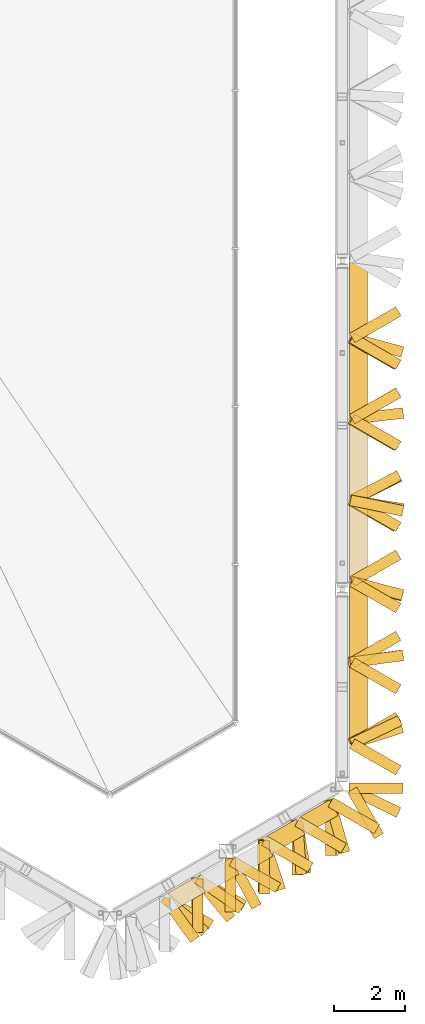
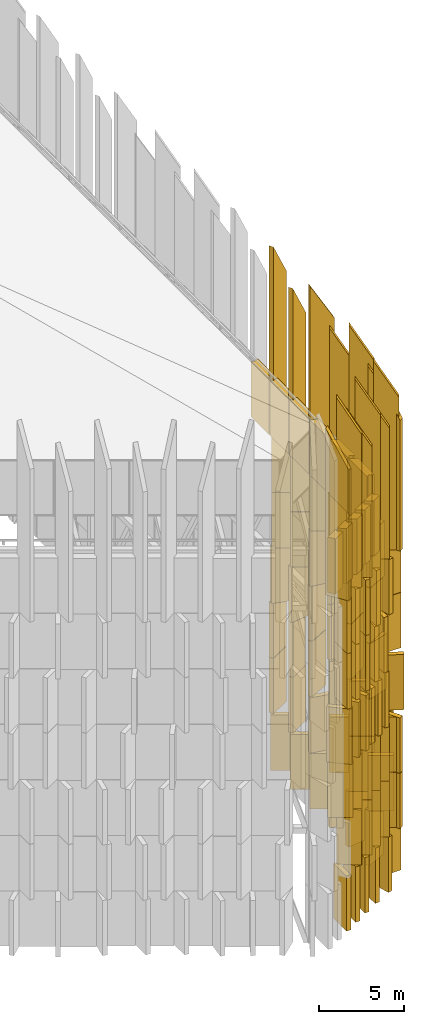
# One storey, part 40 of 45: 98 shading devices.
"""IFC4 building model written with IfcOpenShell, lengths in metres."""

import ifcopenshell
import ifcopenshell.guid

model = None  # the IFC model being written
_history = None  # IfcOwnerHistory: only IFC2X3 demands one
_inside = {}  # id of a spatial element -> (the spatial element, [elements in it])
_under = {}  # id of a project, library or spatial element -> (it, [spatial elements below it])
_declared = {}  # id of a project -> (the project, [libraries it declares])
_typed = {}  # id of a type object -> (the type object, [elements of that type])
_made_of = {}  # id of a material, layer set ... -> (it, [elements and type objects made of it])


def new_model(schema):
    """Start an empty IFC model of exactly this schema.

    Asked for "IFC4X3", IfcOpenShell would pick the latest addendum, in which some entities
    have other attributes; the version numbers below select the first issue.
    IFC2X3 requires an IfcOwnerHistory on every rooted entity: one is made here for all.
    """
    global model, _history
    if schema == "IFC4X3":
        model = ifcopenshell.file(schema_version=(4, 3, 0, 0))
    else:
        model = ifcopenshell.file(schema=schema)
    _inside.clear()
    _under.clear()
    _declared.clear()
    _typed.clear()
    _made_of.clear()
    _history = None
    if model.schema == "IFC2X3":
        org = make("IfcOrganization", Name="unknown")
        user = make(
            "IfcPersonAndOrganization",
            ThePerson=make("IfcPerson", FamilyName="unknown"),
            TheOrganization=org,
        )
        app = make(
            "IfcApplication",
            ApplicationDeveloper=org,
            Version="unknown",
            ApplicationFullName="unknown",
            ApplicationIdentifier="unknown",
        )
        _history = make(
            "IfcOwnerHistory",
            OwningUser=user,
            OwningApplication=app,
            ChangeAction="ADDED",
            CreationDate=0,
        )
    return model


def make(cls, **values):
    """One entity of the class cls with the attributes given. An attribute that is None is left unset."""
    return model.create_entity(
        cls, **{name: value for name, value in values.items() if value is not None}
    )


def rooted(cls, **values):
    """An entity with a GlobalId (a new one), such as an element, a storey or a relation."""
    return make(cls, GlobalId=ifcopenshell.guid.new(), OwnerHistory=_history, **values)


def si_unit(unit_type, name, prefix=None):
    """IfcSIUnit, for example si_unit("LENGTHUNIT", "METRE", prefix="MILLI")."""
    return make("IfcSIUnit", UnitType=unit_type, Prefix=prefix, Name=name)


def assignment(units):
    """IfcUnitAssignment: the units of a project."""
    return None if units is None else make("IfcUnitAssignment", Units=units)


def point(xyz):
    """IfcCartesianPoint."""
    return None if xyz is None else make("IfcCartesianPoint", Coordinates=xyz)


def direction(xyz):
    """IfcDirection."""
    return None if xyz is None else make("IfcDirection", DirectionRatios=xyz)


def frame(location, z_axis=None, x_axis=None):
    """IfcAxis2Placement3D, a coordinate frame: its origin and axes. An axis left out is left unset."""
    return make(
        "IfcAxis2Placement3D",
        Location=point(location),
        Axis=direction(z_axis),
        RefDirection=direction(x_axis),
    )


def frame_2d(location, x_axis=None):
    """IfcAxis2Placement2D, a coordinate frame in the plane: its origin and x axis."""
    return make(
        "IfcAxis2Placement2D", Location=point(location), RefDirection=direction(x_axis)
    )


def origin():
    """The frame at (0, 0, 0) with its axes left unset."""
    return frame((0.0, 0.0, 0.0))


def place(relative_to, where):
    """IfcLocalPlacement: puts the frame where relative to a parent placement (None: the world)."""
    return make(
        "IfcLocalPlacement", PlacementRelTo=relative_to, RelativePlacement=where
    )


def context(
    kind, dimensions, precision=None, world=None, true_north=None, identifier=None
):
    """IfcGeometricRepresentationContext, for example the 3D "Model" context."""
    return make(
        "IfcGeometricRepresentationContext",
        ContextIdentifier=identifier,
        ContextType=kind,
        CoordinateSpaceDimension=dimensions,
        Precision=precision,
        WorldCoordinateSystem=world,
        TrueNorth=true_north,
    )


def subcontext(parent, identifier, kind, view, scale=None):
    """IfcGeometricRepresentationSubContext, for example "Body" below "Model"."""
    return make(
        "IfcGeometricRepresentationSubContext",
        ContextIdentifier=identifier,
        ContextType=kind,
        ParentContext=parent,
        TargetScale=scale,
        TargetView=view,
    )


def project(units=None, contexts=None):
    """IfcProject with its units and contexts."""
    return rooted(
        "IfcProject",
        Name="project",
        RepresentationContexts=contexts,
        UnitsInContext=assignment(units),
    )


def spatial(cls, under=None, at=None, **own):
    """A site, building, storey or space (cls), placed at a placement, below another one or the project."""
    s = rooted(cls, ObjectPlacement=at, **own)
    if under is not None:
        _under.setdefault(under.id(), (under, []))[1].append(s)
    return s


def polyline(points):
    """IfcPolyline through the points."""
    return make("IfcPolyline", Points=[point(p) for p in points])


def profile(cls, at=None, kind="AREA", **sizes):
    """A parametric profile (cls). Its sizes go by their IFC names, for example OverallWidth=200.0."""
    return make(cls, ProfileType=kind, Position=at, **sizes)


def rectangle(**sizes):
    """IfcRectangleProfileDef."""
    return profile("IfcRectangleProfileDef", **sizes)


def outline(outer, holes=None, kind="AREA"):
    """IfcArbitraryClosedProfileDef: a profile drawn as a closed curve; with holes, ...WithVoids."""
    if holes is None:
        return make("IfcArbitraryClosedProfileDef", ProfileType=kind, OuterCurve=outer)
    return make(
        "IfcArbitraryProfileDefWithVoids",
        ProfileType=kind,
        OuterCurve=outer,
        InnerCurves=holes,
    )


def extrude(swept, where, along, depth):
    """IfcExtrudedAreaSolid: the profile swept, set in the frame where, extruded along a direction by depth."""
    return make(
        "IfcExtrudedAreaSolid",
        SweptArea=swept,
        Position=where,
        ExtrudedDirection=direction(along),
        Depth=depth,
    )


def shape(context_of_items, identifier, shape_type, items):
    """IfcShapeRepresentation: the items that make up one representation, for example the "Body"."""
    return make(
        "IfcShapeRepresentation",
        ContextOfItems=context_of_items,
        RepresentationIdentifier=identifier,
        RepresentationType=shape_type,
        Items=items,
    )


def material(Name=None, Category=None):
    """IfcMaterial."""
    return make("IfcMaterial", Name=Name, Category=Category)


def layer(
    of_material, thickness, ventilated=None, Name=None, Category=None, Priority=None
):
    """IfcMaterialLayer: one layer of a wall or slab, of a material (None: an air gap)."""
    return make(
        "IfcMaterialLayer",
        Material=of_material,
        LayerThickness=thickness,
        IsVentilated=ventilated,
        Name=Name,
        Category=Category,
        Priority=Priority,
    )


def layer_set(layers, Name=None):
    """IfcMaterialLayerSet."""
    return make("IfcMaterialLayerSet", MaterialLayers=layers, LayerSetName=Name)


def made_of(thing, what):
    """Note that an element or type object is made of a material, layer set ...; save() writes the relation."""
    if what is not None:
        _made_of.setdefault(what.id(), (what, []))[1].append(thing)
    return thing


def type_object(cls, material=None, **own):
    """A type object (cls), such as IfcWallType, which elements share."""
    return made_of(rooted(cls, **own), material)


def element(
    cls,
    number,
    at=None,
    inside=None,
    cuts=None,
    type_object=None,
    material=None,
    context=None,
    identifier="Body",
    shape_type=None,
    held_by="IfcProductDefinitionShape",
    body=None,
    shapes=None,
    **own,
):
    """One element of the class cls, such as IfcWall. Its Tag is "e" and its number.

    at: its placement. inside: the storey or other place that contains it. cuts: it is an
    opening in that element (IfcRelVoidsElement). A single representation is given by context,
    identifier, shape_type and body (its items); several are given by shapes. held_by: the class
    of the entity that holds the representations. save() writes the other relations.
    """
    e = rooted(cls, Tag="e%d" % number, ObjectPlacement=at, **own)
    if body is not None:
        shapes = [shape(context, identifier, shape_type, body)]
    if shapes is not None:
        e.Representation = make(held_by, Representations=shapes)
    if inside is not None:
        _inside.setdefault(inside.id(), (inside, []))[1].append(e)
    if cuts is not None:
        rooted(
            "IfcRelVoidsElement", RelatingBuildingElement=cuts, RelatedOpeningElement=e
        )
    if type_object is not None:
        _typed.setdefault(type_object.id(), (type_object, []))[1].append(e)
    return made_of(e, material)


def aggregate(whole, parts):
    """IfcRelAggregates: a whole, such as a stair, and the parts it consists of."""
    return rooted("IfcRelAggregates", RelatingObject=whole, RelatedObjects=parts)


def save(model, path):
    """Write the relations noted so far, then the file.

    IfcRelAggregates (storeys below a building ...), IfcRelContainedInSpatialStructure (elements
    in a storey), IfcRelDefinesByType, IfcRelAssociatesMaterial and IfcRelDeclares: one each for
    every whole, place, type object, material and project.
    """
    for whole, parts in _under.values():
        aggregate(whole, parts)
    for where, things in _inside.values():
        rooted(
            "IfcRelContainedInSpatialStructure",
            RelatedElements=things,
            RelatingStructure=where,
        )
    for kind, things in _typed.values():
        rooted("IfcRelDefinesByType", RelatedObjects=things, RelatingType=kind)
    for what, things in _made_of.values():
        rooted("IfcRelAssociatesMaterial", RelatedObjects=things, RelatingMaterial=what)
    for by, libraries in _declared.values():
        rooted("IfcRelDeclares", RelatingContext=by, RelatedDefinitions=libraries)
    model.write(path)


model = new_model("IFC4")

# Units and contexts
model_context = context("Model", 3, precision=1e-05, world=origin(), true_north=direction((0.0, 1.0)))
body_context = subcontext(model_context, "Body", "Model", "MODEL_VIEW")
ifc_project = project(units=[si_unit("LENGTHUNIT", "METRE"), si_unit("AREAUNIT", "SQUARE_METRE"), si_unit("VOLUMEUNIT", "CUBIC_METRE"), si_unit("PLANEANGLEUNIT", "RADIAN"), si_unit("MASSUNIT", "GRAM", prefix="KILO")], contexts=[model_context])

# Site, building, storey
site_placement = place(None, origin())
site = spatial("IfcSite", under=ifc_project, at=site_placement, CompositionType="ELEMENT")
building_placement = place(site_placement, origin())
building = spatial("IfcBuilding", under=site, at=building_placement, Name="Jabali Bay Hotel Tower and Convention Centre", CompositionType="ELEMENT")
storey_placement = place(building_placement, frame((0.0, 0.0, 322.39990234375)))
storey = spatial("IfcBuildingStorey", under=building, at=storey_placement, Name="Crown", CompositionType="ELEMENT", Elevation=322.39990234375)

# Shading devices
ifc_material_1 = material(Name="Aluminium 6063", Category="aluminium")
shading_device_type_1 = type_object("IfcShadingDeviceType", Name="Louvre bank", PredefinedType="USERDEFINED", material=ifc_material_1)
shading_device_1_placement = place(storey_placement, frame((0.0, 0.0, 23.92431640625)))
element("IfcShadingDevice", 1, at=shading_device_1_placement, inside=storey, type_object=shading_device_type_1, Name="Louvre 7.0.00", ObjectType="LOUVRE", PredefinedType="USERDEFINED", context=body_context, shape_type="SweptSolid", body=[
    extrude(outline(polyline([(93.348876953125, 59.382568359375), (93.348876953125, 57.236328125), (93.423828125, 57.236328125), (93.498779296875, 57.3662109375), (93.7236328125, 57.236328125), (93.848876953125, 57.236328125), (93.848876953125, 59.093994140625), (93.348876953125, 59.382568359375)])), origin(), (0.0, 0.0, 1.0), 3.9658203125),
])
shading_device_2_placement = place(storey_placement, frame((0.0, 0.0, 23.92431640625)))
element("IfcShadingDevice", 2, at=shading_device_2_placement, inside=storey, type_object=shading_device_type_1, Name="Louvre 7.0.01", ObjectType="LOUVRE", PredefinedType="USERDEFINED", context=body_context, shape_type="SweptSolid", body=[
    extrude(outline(polyline([(93.348876953125, 61.658935546875), (93.348876953125, 59.5126953125), (93.423828125, 59.5126953125), (93.498779296875, 59.642578125), (93.7236328125, 59.5126953125), (93.848876953125, 59.5126953125), (93.848876953125, 61.370361328125), (93.348876953125, 61.658935546875)])), origin(), (0.0, 0.0, 1.0), 3.9658203125),
])
shading_device_3_placement = place(storey_placement, frame((0.0, 0.0, 23.92431640625)))
element("IfcShadingDevice", 3, at=shading_device_3_placement, inside=storey, type_object=shading_device_type_1, Name="Louvre 7.0.02", ObjectType="LOUVRE", PredefinedType="USERDEFINED", context=body_context, shape_type="SweptSolid", body=[
    extrude(outline(polyline([(93.348876953125, 63.918212890625), (93.348876953125, 61.7890625), (93.423828125, 61.7890625), (93.498779296875, 61.9189453125), (93.7236328125, 61.7890625), (93.848876953125, 61.7890625), (93.848876953125, 63.8173828125), (93.348876953125, 63.918212890625)])), origin(), (0.0, 0.0, 1.0), 3.9658203125),
])
shading_device_4_placement = place(storey_placement, frame((0.0, 0.0, 23.92431640625)))
element("IfcShadingDevice", 4, at=shading_device_4_placement, inside=storey, type_object=shading_device_type_1, Name="Louvre 7.0.03", ObjectType="LOUVRE", PredefinedType="USERDEFINED", context=body_context, shape_type="SweptSolid", body=[
    extrude(outline(polyline([(93.348876953125, 66.341796875), (93.348876953125, 64.0654296875), (93.37841796875, 64.0654296875), (93.408203125, 64.21240234375), (93.848876953125, 64.12353515625), (93.848876953125, 66.341796875), (93.725341796875, 66.341796875), (93.497802734375, 66.21142578125), (93.423095703125, 66.341796875), (93.348876953125, 66.341796875)])), origin(), (0.0, 0.0, 1.0), 3.9658203125),
])
shading_device_5_placement = place(storey_placement, frame((0.0, 0.0, 23.92431640625)))
element("IfcShadingDevice", 5, at=shading_device_5_placement, inside=storey, type_object=shading_device_type_1, Name="Louvre 7.0.04", ObjectType="LOUVRE", PredefinedType="USERDEFINED", context=body_context, shape_type="SweptSolid", body=[
    extrude(outline(polyline([(93.348876953125, 68.6181640625), (93.348876953125, 66.471923828125), (93.848876953125, 66.7578125), (93.848876953125, 68.6181640625), (93.7236328125, 68.6181640625), (93.498779296875, 68.48828125), (93.423828125, 68.6181640625), (93.348876953125, 68.6181640625)])), origin(), (0.0, 0.0, 1.0), 3.9658203125),
])
shading_device_6_placement = place(storey_placement, frame((0.0, 0.0, 23.92431640625)))
element("IfcShadingDevice", 6, at=shading_device_6_placement, inside=storey, type_object=shading_device_type_1, Name="Louvre 7.0.05", ObjectType="LOUVRE", PredefinedType="USERDEFINED", context=body_context, shape_type="SweptSolid", body=[
    extrude(outline(polyline([(93.348876953125, 70.89453125), (93.348876953125, 68.748046875), (93.848876953125, 69.03662109375), (93.848876953125, 70.89453125), (93.7236328125, 70.89453125), (93.498779296875, 70.7646484375), (93.423828125, 70.89453125), (93.348876953125, 70.89453125)])), origin(), (0.0, 0.0, 1.0), 3.9658203125),
])
shading_device_7_placement = place(storey_placement, frame((0.0, 0.0, 23.92431640625)))
element("IfcShadingDevice", 7, at=shading_device_7_placement, inside=storey, type_object=shading_device_type_1, Name="Louvre 7.5.78", ObjectType="LOUVRE", PredefinedType="USERDEFINED", context=body_context, shape_type="SweptSolid", body=[
    extrude(outline(polyline([(89.05517578125, 53.503662109375), (88.25244140625, 53.0400390625), (88.54833984375, 52.6337890625), (89.30517578125, 53.070556640625), (89.262939453125, 53.143798828125), (89.001708984375, 53.324951171875), (89.087158203125, 53.4482421875), (89.05517578125, 53.503662109375)])), origin(), (0.0, 0.0, 1.0), 3.9658203125),
])
shading_device_8_placement = place(storey_placement, frame((0.0, 0.0, 23.92431640625)))
element("IfcShadingDevice", 8, at=shading_device_8_placement, inside=storey, type_object=shading_device_type_1, Name="Louvre 7.5.79", ObjectType="LOUVRE", PredefinedType="USERDEFINED", context=body_context, shape_type="SweptSolid", body=[
    extrude(outline(polyline([(90.00244140625, 54.014892578125), (89.20068359375, 53.552001953125), (89.655029296875, 53.237060546875), (90.25244140625, 53.581787109375), (90.19482421875, 53.681884765625), (89.9697265625, 53.811767578125), (90.044677734375, 53.941650390625), (90.00244140625, 54.014892578125)])), origin(), (0.0, 0.0, 1.0), 3.9658203125),
])
shading_device_9_placement = place(storey_placement, frame((0.0, 0.0, 23.92431640625)))
element("IfcShadingDevice", 9, at=shading_device_9_placement, inside=storey, type_object=shading_device_type_1, Name="Louvre 7.5.80", ObjectType="LOUVRE", PredefinedType="USERDEFINED", context=body_context, shape_type="SweptSolid", body=[
    extrude(outline(polyline([(90.95556640625, 54.516357421875), (90.152587890625, 54.052734375), (90.652587890625, 53.763916015625), (91.20556640625, 54.083251953125), (91.1064453125, 54.2548828125), (90.88134765625, 54.384765625), (90.95654296875, 54.514892578125), (90.95556640625, 54.516357421875)])), origin(), (0.0, 0.0, 1.0), 3.9658203125),
])
shading_device_10_placement = place(storey_placement, frame((0.0, 0.0, 23.92431640625)))
element("IfcShadingDevice", 10, at=shading_device_10_placement, inside=storey, type_object=shading_device_type_1, Name="Louvre 7.5.81", ObjectType="LOUVRE", PredefinedType="USERDEFINED", context=body_context, shape_type="SweptSolid", body=[
    extrude(outline(polyline([(91.850830078125, 55.11767578125), (91.031494140625, 54.644775390625), (91.531494140625, 54.35595703125), (92.100830078125, 54.684814453125), (92.038330078125, 54.79296875), (91.8134765625, 54.9228515625), (91.888427734375, 55.052734375), (91.850830078125, 55.11767578125)])), origin(), (0.0, 0.0, 1.0), 3.9658203125),
])
shading_device_11_placement = place(storey_placement, frame((0.0, 0.0, 23.92431640625)))
element("IfcShadingDevice", 11, at=shading_device_11_placement, inside=storey, type_object=shading_device_type_1, Name="Louvre 7.5.82", ObjectType="LOUVRE", PredefinedType="USERDEFINED", context=body_context, shape_type="SweptSolid", body=[
    extrude(outline(polyline([(92.78271484375, 55.65576171875), (91.96337890625, 55.1826171875), (92.46337890625, 54.89404296875), (93.03271484375, 55.222900390625), (92.97021484375, 55.3310546875), (92.745361328125, 55.4609375), (92.8203125, 55.5908203125), (92.78271484375, 55.65576171875)])), origin(), (0.0, 0.0, 1.0), 3.9658203125),
])
ifc_material_2 = material(Name="Precast concrete C60", Category="concrete")
ifc_layer = layer(ifc_material_2, 0.300048828125)
ifc_layer_set = layer_set([ifc_layer], Name="Precast concrete C60")
shading_device_type_2 = type_object("IfcShadingDeviceType", Name="Precast fin 3966 x 1500", PredefinedType="USERDEFINED", material=ifc_layer_set)
shading_device_12_placement = place(storey_placement, frame((93.36376953125, 57.236328125, 0.010009765625), z_axis=(0.0, 0.0, 1.0), x_axis=(0.901474789436, 0.432831611613, 0.0)))
element("IfcShadingDevice", 12, at=shading_device_12_placement, inside=storey, type_object=shading_device_type_2, Name="Fin Crown:0 000", ObjectType="FIN", PredefinedType="USERDEFINED", context=body_context, shape_type="SweptSolid", body=[
    extrude(rectangle(XDim=1.499755859375, YDim=0.300048828125, at=frame_2d((0.75, 0.0))), origin(), (0.0, 0.0, 1.0), 3.9658203125),
])
for number, where, z_axis, x_axis, name in (
    (13, (93.31884765625, 59.5126953125, 0.010009765625), (0.0, 0.0, 1.0), (0.99089936857, 0.134604759824, 0.0), "Fin Crown:0 001"),
    (14, (93.386962890625, 61.7890625, 0.010009765625), (0.0, 0.0, 1.0), (0.967101938917, -0.254389150207, 0.0), "Fin Crown:0 002"),
    (15, (93.373779296875, 64.0654296875, 0.010009765625), (0.0, 0.0, 1.0), (0.866031096941, -0.499990139034, 0.0), "Fin Crown:0 003"),
    (16, (93.373779296875, 66.341796875, 0.010009765625), (0.0, 0.0, 1.0), (0.866031096941, -0.499990139034, 0.0), "Fin Crown:0 004"),
    (17, (93.373779296875, 68.6181640625, 0.010009765625), (0.0, 0.0, 1.0), (0.866031096941, -0.499990139034, 0.0), "Fin Crown:0 005"),
    (18, (89.067626953125, 53.48193359375, 0.010009765625), (0.0, 0.0, 1.0), (0.0, -1.0, 0.0), "Fin Crown:0 079"),
    (19, (90.00244140625, 54.014892578125, 0.010009765625), (0.0, 0.0, 1.0), (0.0, -1.0, 0.0), "Fin Crown:0 080"),
    (20, (90.931396484375, 54.55810546875, 0.010009765625), (0.0, 0.0, 1.0), (0.0, -1.0, 0.0), "Fin Crown:0 081"),
    (21, (91.8583984375, 55.10498046875, 0.010009765625), (0.0, 0.0, 1.0), (0.076173727468, -0.997094560833, 0.0), "Fin Crown:0 082"),
    (22, (92.7763671875, 55.667236328125, 0.010009765625), (0.0, 0.0, 1.0), (0.271645717778, -0.962397321283, 0.0), "Fin Crown:0 083"),
    (23, (93.348876953125, 55.982666015625, 0.010009765625), (0.0, 0.0, 1.0), (1.0, 0.0, 0.0), "Fin Crown:0 084"),
):
    element("IfcShadingDevice", number, at=place(storey_placement, frame(where, z_axis=z_axis, x_axis=x_axis)), inside=storey, type_object=shading_device_type_2, Name=name, ObjectType="FIN", PredefinedType="USERDEFINED", context=body_context, shape_type="SweptSolid", body=[
        extrude(rectangle(XDim=1.5, YDim=0.300048828125, at=frame_2d((0.75, 0.0))), origin(), (0.0, 0.0, 1.0), 3.9658203125),
    ])
for number, where, z_axis, x_axis, name in (
    (24, (93.423828125, 57.236328125, 3.995849609375), (0.0, 0.0, 1.0), (0.866031096941, -0.499990139034, 0.0), "Fin Crown:1 000"),
    (25, (93.423828125, 59.5126953125, 3.995849609375), (0.0, 0.0, 1.0), (0.866031096941, -0.499990139034, 0.0), "Fin Crown:1 001"),
    (26, (93.423828125, 61.7890625, 3.995849609375), (0.0, 0.0, 1.0), (0.866031096941, -0.499990139034, 0.0), "Fin Crown:1 002"),
):
    element("IfcShadingDevice", number, at=place(storey_placement, frame(where, z_axis=z_axis, x_axis=x_axis)), inside=storey, type_object=shading_device_type_2, Name=name, ObjectType="FIN", PredefinedType="USERDEFINED", context=body_context, shape_type="SweptSolid", body=[
        extrude(rectangle(XDim=1.5, YDim=0.300048828125, at=frame_2d((0.75, 0.0))), origin(), (0.0, 0.0, 1.0), 3.965576171875),
    ])
shading_device_13_placement = place(storey_placement, frame((93.37841796875, 64.0654296875, 3.995849609375), z_axis=(0.0, 0.0, 1.0), x_axis=(0.980222262496, -0.197899762775, 0.0)))
element("IfcShadingDevice", 27, at=shading_device_13_placement, inside=storey, type_object=shading_device_type_2, Name="Fin Crown:1 003", ObjectType="FIN", PredefinedType="USERDEFINED", context=body_context, shape_type="SweptSolid", body=[
    extrude(rectangle(XDim=1.500244140625, YDim=0.300048828125, at=frame_2d((0.75, 0.0))), origin(), (0.0, 0.0, 1.0), 3.965576171875),
])
for number, where, z_axis, x_axis, name in (
    (28, (93.423095703125, 66.341796875, 3.995849609375), (0.0, 0.0, 1.0), (0.868102892973, 0.496384293882, 0.0), "Fin Crown:1 004"),
    (29, (93.423828125, 68.6181640625, 3.995849609375), (0.0, 0.0, 1.0), (0.866031096941, 0.499990139034, 0.0), "Fin Crown:1 005"),
    (30, (89.087158203125, 53.4482421875, 3.995849609375), (0.0, 0.0, 1.0), (0.821770094547, -0.569819192119, 0.0), "Fin Crown:1 079"),
    (31, (90.044677734375, 53.941650390625, 3.995849609375), (0.0, 0.0, 1.0), (0.866031096941, -0.499990139034, 0.0), "Fin Crown:1 080"),
    (32, (90.95654296875, 54.514892578125, 3.995849609375), (0.0, 0.0, 1.0), (0.866031096941, -0.499990139034, 0.0), "Fin Crown:1 081"),
    (33, (91.888427734375, 55.052734375, 3.995849609375), (0.0, 0.0, 1.0), (0.866031096941, -0.499990139034, 0.0), "Fin Crown:1 082"),
    (34, (92.8203125, 55.5908203125, 3.995849609375), (0.0, 0.0, 1.0), (0.866031096941, -0.499990139034, 0.0), "Fin Crown:1 083"),
):
    element("IfcShadingDevice", number, at=place(storey_placement, frame(where, z_axis=z_axis, x_axis=x_axis)), inside=storey, type_object=shading_device_type_2, Name=name, ObjectType="FIN", PredefinedType="USERDEFINED", context=body_context, shape_type="SweptSolid", body=[
        extrude(rectangle(XDim=1.5, YDim=0.300048828125, at=frame_2d((0.75, 0.0))), origin(), (0.0, 0.0, 1.0), 3.965576171875),
    ])
shading_device_14_placement = place(storey_placement, frame((93.421875, 55.940185546875, 3.995849609375), z_axis=(0.0, 0.0, 1.0), x_axis=(0.500060622324, -0.86599040064, 0.0)))
element("IfcShadingDevice", 35, at=shading_device_14_placement, inside=storey, type_object=shading_device_type_2, Name="Fin Crown:1 084", ObjectType="FIN", PredefinedType="USERDEFINED", context=body_context, shape_type="SweptSolid", body=[
    extrude(rectangle(XDim=1.499755859375, YDim=0.300048828125, at=frame_2d((0.75, 0.0))), origin(), (0.0, 0.0, 1.0), 3.965576171875),
])
for number, where, z_axis, x_axis, name in (
    (36, (93.423828125, 57.236328125, 7.9814453125), (0.0, 0.0, 1.0), (0.866031096941, -0.499990139034, 0.0), "Fin Crown:2 000"),
    (37, (93.423828125, 59.5126953125, 7.9814453125), (0.0, 0.0, 1.0), (0.866031096941, -0.499990139034, 0.0), "Fin Crown:2 001"),
    (38, (93.389892578125, 61.7890625, 7.9814453125), (0.0, 0.0, 1.0), (0.961566928218, -0.274570651304, 0.0), "Fin Crown:2 002"),
    (39, (93.41552734375, 64.0654296875, 7.9814453125), (0.0, 0.0, 1.0), (0.895304330122, 0.445454999372, 0.0), "Fin Crown:2 003"),
    (40, (93.423828125, 66.341796875, 7.9814453125), (0.0, 0.0, 1.0), (0.866031096941, 0.499990139034, 0.0), "Fin Crown:2 004"),
    (41, (93.423828125, 68.6181640625, 7.9814453125), (0.0, 0.0, 1.0), (0.866031096941, 0.499990139034, 0.0), "Fin Crown:2 005"),
    (42, (88.16064453125, 52.900634765625, 7.9814453125), (0.0, 0.0, 1.0), (0.866031096941, -0.499990139034, 0.0), "Fin Crown:2 078"),
    (43, (89.092529296875, 53.438720703125, 7.9814453125), (0.0, 0.0, 1.0), (0.866031096941, -0.499990139034, 0.0), "Fin Crown:2 079"),
    (44, (90.044677734375, 53.941650390625, 7.9814453125), (0.0, 0.0, 1.0), (0.866031096941, -0.499990139034, 0.0), "Fin Crown:2 080"),
    (45, (90.95654296875, 54.514892578125, 7.9814453125), (0.0, 0.0, 1.0), (0.866031096941, -0.499990139034, 0.0), "Fin Crown:2 081"),
    (46, (91.888427734375, 55.052734375, 7.9814453125), (0.0, 0.0, 1.0), (0.866031096941, -0.499990139034, 0.0), "Fin Crown:2 082"),
    (47, (92.8203125, 55.5908203125, 7.9814453125), (0.0, 0.0, 1.0), (0.866031096941, -0.499990139034, 0.0), "Fin Crown:2 083"),
):
    element("IfcShadingDevice", number, at=place(storey_placement, frame(where, z_axis=z_axis, x_axis=x_axis)), inside=storey, type_object=shading_device_type_2, Name=name, ObjectType="FIN", PredefinedType="USERDEFINED", context=body_context, shape_type="SweptSolid", body=[
        extrude(rectangle(XDim=1.5, YDim=0.300048828125, at=frame_2d((0.75, 0.0))), origin(), (0.0, 0.0, 1.0), 3.9658203125),
    ])
shading_device_15_placement = place(storey_placement, frame((93.421875, 55.940185546875, 7.9814453125), z_axis=(0.0, 0.0, 1.0), x_axis=(0.500060622324, -0.86599040064, 0.0)))
element("IfcShadingDevice", 48, at=shading_device_15_placement, inside=storey, type_object=shading_device_type_2, Name="Fin Crown:2 084", ObjectType="FIN", PredefinedType="USERDEFINED", context=body_context, shape_type="SweptSolid", body=[
    extrude(rectangle(XDim=1.499755859375, YDim=0.300048828125, at=frame_2d((0.75, 0.0))), origin(), (0.0, 0.0, 1.0), 3.9658203125),
])
shading_device_16_placement = place(storey_placement, frame((93.39404296875, 57.236328125, 11.96728515625), z_axis=(0.0, 0.0, 1.0), x_axis=(0.953530989783, 0.30129495768, 0.0)))
element("IfcShadingDevice", 49, at=shading_device_16_placement, inside=storey, type_object=shading_device_type_2, Name="Fin Crown:3 000", ObjectType="FIN", PredefinedType="USERDEFINED", context=body_context, shape_type="SweptSolid", body=[
    extrude(rectangle(XDim=1.499755859375, YDim=0.300048828125, at=frame_2d((0.75, 0.0))), origin(), (0.0, 0.0, 1.0), 3.965576171875),
])
for number, where, z_axis, x_axis, name in (
    (50, (93.423828125, 59.5126953125, 11.96728515625), (0.0, 0.0, 1.0), (0.866031096941, 0.499990139034, 0.0), "Fin Crown:3 001"),
    (51, (93.423828125, 61.7890625, 11.96728515625), (0.0, 0.0, 1.0), (0.866031096941, 0.499990139034, 0.0), "Fin Crown:3 002"),
):
    element("IfcShadingDevice", number, at=place(storey_placement, frame(where, z_axis=z_axis, x_axis=x_axis)), inside=storey, type_object=shading_device_type_2, Name=name, ObjectType="FIN", PredefinedType="USERDEFINED", context=body_context, shape_type="SweptSolid", body=[
        extrude(rectangle(XDim=1.5, YDim=0.300048828125, at=frame_2d((0.75, 0.0))), origin(), (0.0, 0.0, 1.0), 3.965576171875),
    ])
for number, where, z_axis, x_axis, name in (
    (52, (93.418701171875, 64.0654296875, 11.96728515625), (0.0, 0.0, 1.0), (0.884854657042, 0.465867186986, 0.0), "Fin Crown:3 003"),
    (53, (93.3662109375, 66.341796875, 11.96728515625), (0.0, 0.0, 1.0), (0.993279990895, 0.115736164131, 0.0), "Fin Crown:3 004"),
):
    element("IfcShadingDevice", number, at=place(storey_placement, frame(where, z_axis=z_axis, x_axis=x_axis)), inside=storey, type_object=shading_device_type_2, Name=name, ObjectType="FIN", PredefinedType="USERDEFINED", context=body_context, shape_type="SweptSolid", body=[
        extrude(rectangle(XDim=1.499755859375, YDim=0.300048828125, at=frame_2d((0.75, 0.0))), origin(), (0.0, 0.0, 1.0), 3.965576171875),
    ])
shading_device_17_placement = place(storey_placement, frame((93.3876953125, 68.6181640625, 11.96728515625), z_axis=(0.0, 0.0, 1.0), x_axis=(0.965711558504, -0.259617383417, 0.0)))
element("IfcShadingDevice", 54, at=shading_device_17_placement, inside=storey, type_object=shading_device_type_2, Name="Fin Crown:3 005", ObjectType="FIN", PredefinedType="USERDEFINED", context=body_context, shape_type="SweptSolid", body=[
    extrude(rectangle(XDim=1.5, YDim=0.300048828125, at=frame_2d((0.75, 0.0))), origin(), (0.0, 0.0, 1.0), 3.965576171875),
])
shading_device_18_placement = place(storey_placement, frame((88.148681640625, 52.921630859375, 11.96728515625), z_axis=(0.0, 0.0, 1.0), x_axis=(0.764083394985, -0.645117481943, 0.0)))
element("IfcShadingDevice", 55, at=shading_device_18_placement, inside=storey, type_object=shading_device_type_2, Name="Fin Crown:3 078", ObjectType="FIN", PredefinedType="USERDEFINED", context=body_context, shape_type="SweptSolid", body=[
    extrude(rectangle(XDim=1.500244140625, YDim=0.300048828125, at=frame_2d((0.75, 0.0))), origin(), (0.0, 0.0, 1.0), 3.965576171875),
])
for number, where, z_axis, x_axis, name in (
    (56, (89.0673828125, 53.482421875, 11.96728515625), (0.0, 0.0, 1.0), (0.635079503828, -0.772446777337, 0.0), "Fin Crown:3 079"),
    (57, (90.022705078125, 53.979736328125, 11.96728515625), (0.0, 0.0, 1.0), (0.479661593563, -0.87745356325, 0.0), "Fin Crown:3 080"),
    (58, (90.93408203125, 54.5537109375, 11.96728515625), (0.0, 0.0, 1.0), (0.316423082205, -0.948618170313, 0.0), "Fin Crown:3 081"),
    (59, (91.876953125, 55.072509765625, 11.96728515625), (0.0, 0.0, 1.0), (0.166668423928, -0.98601300015, 0.0), "Fin Crown:3 082"),
    (60, (92.817138671875, 55.59619140625, 11.96728515625), (0.0, 0.0, 1.0), (0.047526484215, -0.998869978174, 0.0), "Fin Crown:3 083"),
    (61, (93.381103515625, 55.9638671875, 11.96728515625), (0.0, 0.0, 1.0), (0.897691023577, -0.440625494256, 0.0), "Fin Crown:3 084"),
):
    element("IfcShadingDevice", number, at=place(storey_placement, frame(where, z_axis=z_axis, x_axis=x_axis)), inside=storey, type_object=shading_device_type_2, Name=name, ObjectType="FIN", PredefinedType="USERDEFINED", context=body_context, shape_type="SweptSolid", body=[
        extrude(rectangle(XDim=1.5, YDim=0.300048828125, at=frame_2d((0.75, 0.0))), origin(), (0.0, 0.0, 1.0), 3.965576171875),
    ])
for number, where, z_axis, x_axis, name in (
    (62, (93.423828125, 57.236328125, 15.952880859375), (0.0, 0.0, 1.0), (0.866031096941, 0.499990139034, 0.0), "Fin Crown:4 000"),
    (63, (93.423828125, 59.5126953125, 15.952880859375), (0.0, 0.0, 1.0), (0.866031096941, 0.499990139034, 0.0), "Fin Crown:4 001"),
    (64, (93.423828125, 61.7890625, 15.952880859375), (0.0, 0.0, 1.0), (0.866031096941, 0.499990139034, 0.0), "Fin Crown:4 002"),
    (65, (93.373046875, 64.0654296875, 15.952880859375), (0.0, 0.0, 1.0), (0.986851934749, -0.161626912618, 0.0), "Fin Crown:4 003"),
    (66, (93.423828125, 66.341796875, 15.952880859375), (0.0, 0.0, 1.0), (0.866031096941, -0.499990139034, 0.0), "Fin Crown:4 004"),
    (67, (93.423828125, 68.6181640625, 15.952880859375), (0.0, 0.0, 1.0), (0.866031096941, -0.499990139034, 0.0), "Fin Crown:4 005"),
    (68, (89.092529296875, 53.438720703125, 15.952880859375), (0.0, 0.0, 1.0), (0.0, -1.0, 0.0), "Fin Crown:4 079"),
    (69, (90.00244140625, 54.014892578125, 15.952880859375), (0.0, 0.0, 1.0), (0.0, -1.0, 0.0), "Fin Crown:4 080"),
    (70, (90.95654296875, 54.514892578125, 15.952880859375), (0.0, 0.0, 1.0), (0.0, -1.0, 0.0), "Fin Crown:4 081"),
    (71, (91.888427734375, 55.052734375, 15.952880859375), (0.0, 0.0, 1.0), (0.0, -1.0, 0.0), "Fin Crown:4 082"),
    (72, (92.8203125, 55.5908203125, 15.952880859375), (0.0, 0.0, 1.0), (0.0, -1.0, 0.0), "Fin Crown:4 083"),
    (73, (93.348876953125, 55.982666015625, 15.952880859375), (0.0, 0.0, 1.0), (1.0, 0.0, 0.0), "Fin Crown:4 084"),
):
    element("IfcShadingDevice", number, at=place(storey_placement, frame(where, z_axis=z_axis, x_axis=x_axis)), inside=storey, type_object=shading_device_type_2, Name=name, ObjectType="FIN", PredefinedType="USERDEFINED", context=body_context, shape_type="SweptSolid", body=[
        extrude(rectangle(XDim=1.5, YDim=0.300048828125, at=frame_2d((0.75, 0.0))), origin(), (0.0, 0.0, 1.0), 3.9658203125),
    ])
for number, where, z_axis, x_axis, name in (
    (74, (93.41357421875, 57.236328125, 19.938720703125), (0.0, 0.0, 1.0), (0.901505278423, 0.432768105313, 0.0), "Fin Crown:5 000"),
    (75, (93.368896484375, 59.5126953125, 19.938720703125), (0.0, 0.0, 1.0), (0.99089936857, 0.134604759824, 0.0), "Fin Crown:5 001"),
    (76, (93.386962890625, 61.7890625, 19.938720703125), (0.0, 0.0, 1.0), (0.967101938917, -0.254389150207, 0.0), "Fin Crown:5 002"),
    (77, (93.423828125, 64.0654296875, 19.938720703125), (0.0, 0.0, 1.0), (0.866031096941, -0.499990139034, 0.0), "Fin Crown:5 003"),
    (78, (93.423828125, 66.341796875, 19.938720703125), (0.0, 0.0, 1.0), (0.866031096941, -0.499990139034, 0.0), "Fin Crown:5 004"),
    (79, (93.423828125, 68.6181640625, 19.938720703125), (0.0, 0.0, 1.0), (0.866031096941, -0.499990139034, 0.0), "Fin Crown:5 005"),
    (80, (89.092529296875, 53.438720703125, 19.938720703125), (0.0, 0.0, 1.0), (0.0, -1.0, 0.0), "Fin Crown:5 079"),
    (81, (90.00244140625, 54.014892578125, 19.938720703125), (0.0, 0.0, 1.0), (0.0, -1.0, 0.0), "Fin Crown:5 080"),
    (82, (90.95654296875, 54.514892578125, 19.938720703125), (0.0, 0.0, 1.0), (0.0, -1.0, 0.0), "Fin Crown:5 081"),
    (83, (91.88330078125, 55.0615234375, 19.938720703125), (0.0, 0.0, 1.0), (0.076335544402, -0.99708218551, 0.0), "Fin Crown:5 082"),
    (84, (92.80126953125, 55.623779296875, 19.938720703125), (0.0, 0.0, 1.0), (0.271645717778, -0.962397321283, 0.0), "Fin Crown:5 083"),
    (85, (93.348876953125, 55.982666015625, 19.938720703125), (0.0, 0.0, 1.0), (1.0, 0.0, 0.0), "Fin Crown:5 084"),
):
    element("IfcShadingDevice", number, at=place(storey_placement, frame(where, z_axis=z_axis, x_axis=x_axis)), inside=storey, type_object=shading_device_type_2, Name=name, ObjectType="FIN", PredefinedType="USERDEFINED", context=body_context, shape_type="SweptSolid", body=[
        extrude(rectangle(XDim=1.5, YDim=0.300048828125, at=frame_2d((0.75, 0.0))), origin(), (0.0, 0.0, 1.0), 3.965576171875),
    ])
shading_device_19_placement = place(storey_placement, frame((93.423828125, 57.236328125, 23.92431640625), z_axis=(0.0, 0.0, 1.0), x_axis=(0.866031096941, -0.499990139034, 0.0)))
element("IfcShadingDevice", 86, at=shading_device_19_placement, inside=storey, type_object=shading_device_type_2, Name="Fin Crown:6 000", ObjectType="FIN", PredefinedType="USERDEFINED", context=body_context, shape_type="SweptSolid", body=[
    extrude(outline(polyline([(0.0, 0.0), (1.5, 0.0), (1.5, 9.36767578125), (0.0, 11.9658203125), (0.0, 0.0)])), frame((0.0, 0.14990234375, 0.0), z_axis=(0.0, -1.0, 0.0), x_axis=(1.0, 0.0, 0.0)), (0.0, 0.0, 1.0), 0.300048828125),
])
shading_device_20_placement = place(storey_placement, frame((93.423828125, 59.5126953125, 23.92431640625), z_axis=(0.0, 0.0, 1.0), x_axis=(0.866031096941, -0.499990139034, 0.0)))
element("IfcShadingDevice", 87, at=shading_device_20_placement, inside=storey, type_object=shading_device_type_2, Name="Fin Crown:6 001", ObjectType="FIN", PredefinedType="USERDEFINED", context=body_context, shape_type="SweptSolid", body=[
    extrude(outline(polyline([(0.0, 0.0), (1.5, 0.0), (1.5, 10.9677734375), (0.0, 13.565673828125), (0.0, 0.0)])), frame((0.0, 0.14990234375, 0.0), z_axis=(0.0, -1.0, 0.0), x_axis=(1.0, 0.0, 0.0)), (0.0, 0.0, 1.0), 0.300048828125),
])
shading_device_21_placement = place(storey_placement, frame((93.423828125, 61.7890625, 23.92431640625), z_axis=(0.0, 0.0, 1.0), x_axis=(0.866031096941, -0.499990139034, 0.0)))
element("IfcShadingDevice", 88, at=shading_device_21_placement, inside=storey, type_object=shading_device_type_2, Name="Fin Crown:6 002", ObjectType="FIN", PredefinedType="USERDEFINED", context=body_context, shape_type="SweptSolid", body=[
    extrude(outline(polyline([(0.0, 0.0), (1.5, 0.0), (1.5, 9.36767578125), (0.0, 11.9658203125), (0.0, 0.0)])), frame((0.0, 0.14990234375, 0.0), z_axis=(0.0, -1.0, 0.0), x_axis=(1.0, 0.0, 0.0)), (0.0, 0.0, 1.0), 0.300048828125),
])
shading_device_22_placement = place(storey_placement, frame((93.37841796875, 64.0654296875, 23.92431640625), z_axis=(0.0, 0.0, 1.0), x_axis=(0.980222262496, -0.197899762775, 0.0)))
element("IfcShadingDevice", 89, at=shading_device_22_placement, inside=storey, type_object=shading_device_type_2, Name="Fin Crown:6 003", ObjectType="FIN", PredefinedType="USERDEFINED", context=body_context, shape_type="SweptSolid", body=[
    extrude(outline(polyline([(0.0, 0.0), (1.500244140625, 0.0), (1.5, 10.9677734375), (0.0, 13.565673828125), (0.0, 0.0)])), frame((0.0, 0.14990234375, 0.0), z_axis=(0.0, -1.0, 0.0), x_axis=(1.0, 0.0, 0.0)), (0.0, 0.0, 1.0), 0.300048828125),
])
shading_device_23_placement = place(storey_placement, frame((93.423095703125, 66.341796875, 23.92431640625), z_axis=(0.0, 0.0, 1.0), x_axis=(0.868102892973, 0.496384293882, 0.0)))
element("IfcShadingDevice", 90, at=shading_device_23_placement, inside=storey, type_object=shading_device_type_2, Name="Fin Crown:6 004", ObjectType="FIN", PredefinedType="USERDEFINED", context=body_context, shape_type="SweptSolid", body=[
    extrude(outline(polyline([(0.0, 0.0), (1.5, 0.0), (1.5, 9.36767578125), (0.0, 11.9658203125), (0.0, 0.0)])), frame((0.0, 0.14990234375, 0.0), z_axis=(0.0, -1.0, 0.0), x_axis=(1.0, 0.0, 0.0)), (0.0, 0.0, 1.0), 0.300048828125),
])
shading_device_24_placement = place(storey_placement, frame((93.423828125, 68.6181640625, 23.92431640625), z_axis=(0.0, 0.0, 1.0), x_axis=(0.866031096941, 0.499990139034, 0.0)))
element("IfcShadingDevice", 91, at=shading_device_24_placement, inside=storey, type_object=shading_device_type_2, Name="Fin Crown:6 005", ObjectType="FIN", PredefinedType="USERDEFINED", context=body_context, shape_type="SweptSolid", body=[
    extrude(outline(polyline([(0.0, 0.0), (1.5, 0.0), (1.5, 10.9677734375), (0.0, 13.565673828125), (0.0, 0.0)])), frame((0.0, 0.14990234375, 0.0), z_axis=(0.0, -1.0, 0.0), x_axis=(1.0, 0.0, 0.0)), (0.0, 0.0, 1.0), 0.300048828125),
])
shading_device_25_placement = place(storey_placement, frame((88.131103515625, 52.951904296875, 23.92431640625), z_axis=(0.0, 0.0, 1.0), x_axis=(0.588665115166, -0.808377004984, 0.0)))
element("IfcShadingDevice", 92, at=shading_device_25_placement, inside=storey, type_object=shading_device_type_2, Name="Fin Crown:6 078", ObjectType="FIN", PredefinedType="USERDEFINED", context=body_context, shape_type="SweptSolid", body=[
    extrude(outline(polyline([(0.0, 0.0), (1.5, 0.0), (1.5, 9.36767578125), (0.0, 11.9658203125), (0.0, 0.0)])), frame((0.0, 0.14990234375, 0.0), z_axis=(0.0, -1.0, 0.0), x_axis=(1.0, 0.0, 0.0)), (0.0, 0.0, 1.0), 0.300048828125),
])
shading_device_26_placement = place(storey_placement, frame((89.087158203125, 53.4482421875, 23.92431640625), z_axis=(0.0, 0.0, 1.0), x_axis=(0.821770094547, -0.569819192119, 0.0)))
element("IfcShadingDevice", 93, at=shading_device_26_placement, inside=storey, type_object=shading_device_type_2, Name="Fin Crown:6 079", ObjectType="FIN", PredefinedType="USERDEFINED", context=body_context, shape_type="SweptSolid", body=[
    extrude(outline(polyline([(0.0, 0.0), (1.5, 0.0), (1.5, 10.9677734375), (0.0, 13.565673828125), (0.0, 0.0)])), frame((0.0, 0.14990234375, 0.0), z_axis=(0.0, -1.0, 0.0), x_axis=(1.0, 0.0, 0.0)), (0.0, 0.0, 1.0), 0.300048828125),
])
shading_device_27_placement = place(storey_placement, frame((90.044677734375, 53.941650390625, 23.92431640625), z_axis=(0.0, 0.0, 1.0), x_axis=(0.866031096941, -0.499990139034, 0.0)))
element("IfcShadingDevice", 94, at=shading_device_27_placement, inside=storey, type_object=shading_device_type_2, Name="Fin Crown:6 080", ObjectType="FIN", PredefinedType="USERDEFINED", context=body_context, shape_type="SweptSolid", body=[
    extrude(outline(polyline([(0.0, 0.0), (1.5, 0.0), (1.5, 9.36767578125), (0.0, 11.9658203125), (0.0, 0.0)])), frame((0.0, 0.14990234375, 0.0), z_axis=(0.0, -1.0, 0.0), x_axis=(1.0, 0.0, 0.0)), (0.0, 0.0, 1.0), 0.300048828125),
])
shading_device_28_placement = place(storey_placement, frame((90.95654296875, 54.514892578125, 23.92431640625), z_axis=(0.0, 0.0, 1.0), x_axis=(0.866031096941, -0.499990139034, 0.0)))
element("IfcShadingDevice", 95, at=shading_device_28_placement, inside=storey, type_object=shading_device_type_2, Name="Fin Crown:6 081", ObjectType="FIN", PredefinedType="USERDEFINED", context=body_context, shape_type="SweptSolid", body=[
    extrude(outline(polyline([(0.0, 0.0), (1.5, 0.0), (1.5, 10.9677734375), (0.0, 13.565673828125), (0.0, 0.0)])), frame((0.0, 0.14990234375, 0.0), z_axis=(0.0, -1.0, 0.0), x_axis=(1.0, 0.0, 0.0)), (0.0, 0.0, 1.0), 0.300048828125),
])
shading_device_29_placement = place(storey_placement, frame((91.888427734375, 55.052734375, 23.92431640625), z_axis=(0.0, 0.0, 1.0), x_axis=(0.866031096941, -0.499990139034, 0.0)))
element("IfcShadingDevice", 96, at=shading_device_29_placement, inside=storey, type_object=shading_device_type_2, Name="Fin Crown:6 082", ObjectType="FIN", PredefinedType="USERDEFINED", context=body_context, shape_type="SweptSolid", body=[
    extrude(outline(polyline([(0.0, 0.0), (1.5, 0.0), (1.5, 9.36767578125), (0.0, 11.9658203125), (0.0, 0.0)])), frame((0.0, 0.14990234375, 0.0), z_axis=(0.0, -1.0, 0.0), x_axis=(1.0, 0.0, 0.0)), (0.0, 0.0, 1.0), 0.300048828125),
])
shading_device_30_placement = place(storey_placement, frame((92.8203125, 55.5908203125, 23.92431640625), z_axis=(0.0, 0.0, 1.0), x_axis=(0.866031096941, -0.499990139034, 0.0)))
element("IfcShadingDevice", 97, at=shading_device_30_placement, inside=storey, type_object=shading_device_type_2, Name="Fin Crown:6 083", ObjectType="FIN", PredefinedType="USERDEFINED", context=body_context, shape_type="SweptSolid", body=[
    extrude(outline(polyline([(0.0, 0.0), (1.5, 0.0), (1.5, 10.9677734375), (0.0, 13.565673828125), (0.0, 0.0)])), frame((0.0, 0.14990234375, 0.0), z_axis=(0.0, -1.0, 0.0), x_axis=(1.0, 0.0, 0.0)), (0.0, 0.0, 1.0), 0.300048828125),
])
shading_device_31_placement = place(storey_placement, frame((93.421875, 55.940185546875, 23.92431640625), z_axis=(0.0, 0.0, 1.0), x_axis=(0.500060622324, -0.86599040064, 0.0)))
element("IfcShadingDevice", 98, at=shading_device_31_placement, inside=storey, type_object=shading_device_type_2, Name="Fin Crown:6 084", ObjectType="FIN", PredefinedType="USERDEFINED", context=body_context, shape_type="SweptSolid", body=[
    extrude(outline(polyline([(0.0, 0.0), (1.499755859375, 0.0), (1.5, 9.36767578125), (0.0, 11.9658203125), (0.0, 0.0)])), frame((0.0, 0.14990234375, 0.0), z_axis=(0.0, -1.0, 0.0), x_axis=(1.0, 0.0, 0.0)), (0.0, 0.0, 1.0), 0.300048828125),
])

save(model, "model.ifc")
